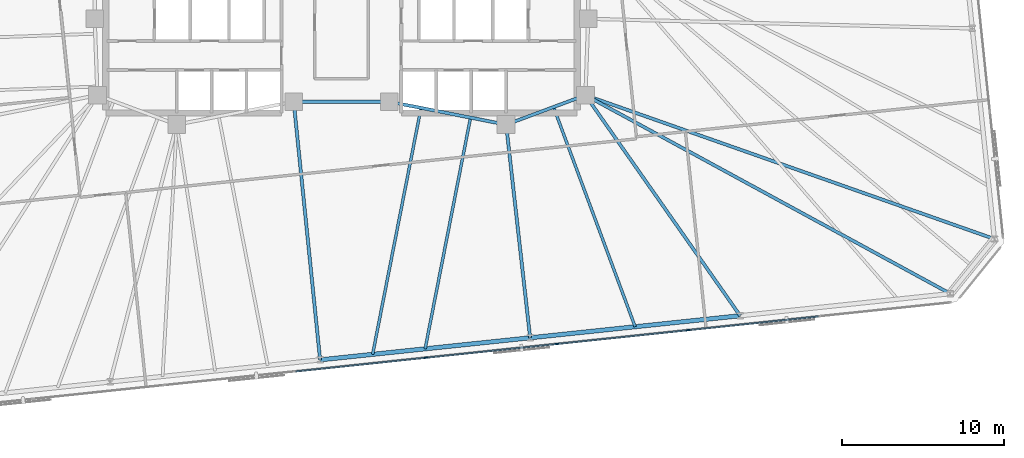
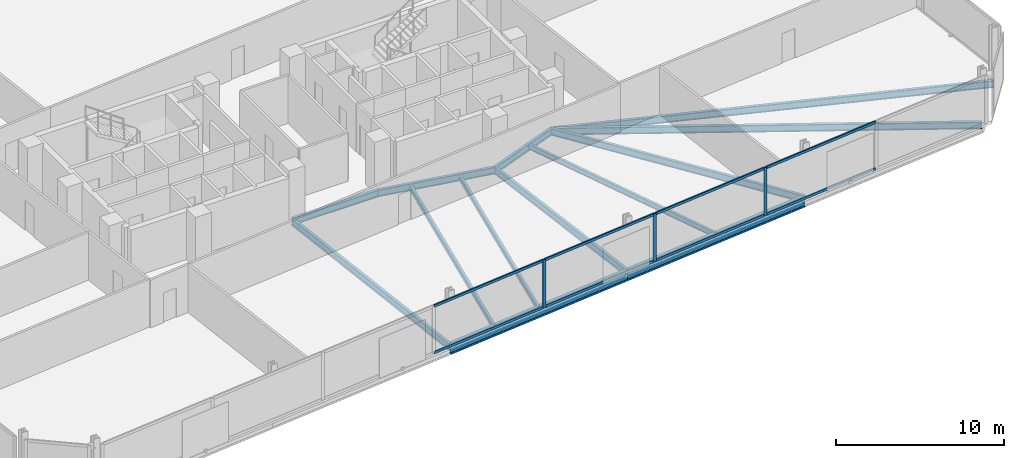
# One storey, part 7 of 18: 13 beams, 11 members, 1 element without a shape of its own.
"""IFC4 building model written with IfcOpenShell, lengths in metres."""

from ifc_helpers import new_model, si_unit, direction, frame, origin, origin_2d, place, context, subcontext, project, spatial, rectangle, i_section, extrude, material, material_profile, profile_set, type_object, element, aggregate, save


model = new_model("IFC4")

# Units and contexts
model_context = context("Model", 3, precision=1e-05, world=origin(), true_north=direction((0.0, 1.0)))
body_context = subcontext(model_context, "Body", "Model", "MODEL_VIEW")
ifc_project = project(units=[si_unit("LENGTHUNIT", "METRE"), si_unit("AREAUNIT", "SQUARE_METRE"), si_unit("VOLUMEUNIT", "CUBIC_METRE"), si_unit("PLANEANGLEUNIT", "RADIAN"), si_unit("MASSUNIT", "GRAM", prefix="KILO")], contexts=[model_context])

# Site, building, storey
site_placement = place(None, origin())
site = spatial("IfcSite", under=ifc_project, at=site_placement, CompositionType="ELEMENT")
building_placement = place(site_placement, origin())
building = spatial("IfcBuilding", under=site, at=building_placement, Name="Menara Jurai Vektor", CompositionType="ELEMENT")
storey_placement = place(building_placement, frame((0.0, 0.0, 91.10009765625)))
storey = spatial("IfcBuildingStorey", under=building, at=storey_placement, Name="L22", CompositionType="ELEMENT", Elevation=91.10009765625)

# Curtain wall, members
ifc_material_1 = material(Name="Anodised Pale Aluminium & Low-E Double Glazing", Category="aluminium")
curtain_wall_type = type_object("IfcCurtainWallType", Name="CW-BLK2", PredefinedType="NOTDEFINED", material=ifc_material_1)
curtain_wall_placement = place(storey_placement, origin())
curtain_wall = element("IfcCurtainWall", 1, at=curtain_wall_placement, inside=storey, type_object=curtain_wall_type, Name="Unitised Curtain Wall L22 F01", PredefinedType="NOTDEFINED")
ifc_material_2 = material(Name="Anodised Pale Aluminium Mullion", Category="aluminium")
ifc_material_profile_1 = material_profile(ifc_material_2, rectangle(XDim=0.090087890625, YDim=0.219970703125, at=origin_2d()), Name="ALU MUL 90x220")
ifc_profile_set_1 = profile_set([ifc_material_profile_1], Name="Anodised Pale Aluminium Mullion")
member_type_1 = type_object("IfcMemberType", Name="CW-BLK2-MUL", PredefinedType="MULLION", material=ifc_profile_set_1)
member_1_placement = place(storey_placement, frame((5.230224609375, -20.72265625, 0.0), z_axis=(0.0, 0.0, 1.0), x_axis=(-0.104528634935, 0.994521877325, 0.0)))
member_1 = element("IfcMember", 2, at=member_1_placement, type_object=member_type_1, Name="CW-02 mullion 5", PredefinedType="MULLION", context=body_context, shape_type="SweptSolid", body=[
    extrude(rectangle(XDim=0.090087890625, YDim=0.219970703125, at=origin_2d()), origin(), (0.0, 0.0, 1.0), 3.474853515625),
])
member_2_placement = place(storey_placement, frame((13.328125, -19.87158203125, 0.0), z_axis=(0.0, 0.0, 1.0), x_axis=(-0.104528634935, 0.994521877325, 0.0)))
member_2 = element("IfcMember", 3, at=member_2_placement, type_object=member_type_1, Name="CW-02 mullion 6", PredefinedType="MULLION", context=body_context, shape_type="SweptSolid", body=[
    extrude(rectangle(XDim=0.090087890625, YDim=0.219970703125, at=origin_2d()), origin(), (0.0, 0.0, 1.0), 3.474853515625),
])
member_3_placement = place(storey_placement, frame((21.426025390625, -19.020263671875, 0.0), z_axis=(0.0, 0.0, 1.0), x_axis=(-0.104528634935, 0.994521877325, 0.0)))
member_3 = element("IfcMember", 4, at=member_3_placement, type_object=member_type_1, Name="CW-02 mullion 7", PredefinedType="MULLION", context=body_context, shape_type="SweptSolid", body=[
    extrude(rectangle(XDim=0.090087890625, YDim=0.219970703125, at=origin_2d()), origin(), (0.0, 0.0, 1.0), 3.474853515625),
])
ifc_material_3 = material(Name="Anodised Pale Aluminium Transom", Category="aluminium")
ifc_material_profile_2 = material_profile(ifc_material_3, rectangle(XDim=0.090087890625, YDim=0.18505859375, at=origin_2d()), Name="ALU TRN 90x185")
ifc_profile_set_2 = profile_set([ifc_material_profile_2], Name="Anodised Pale Aluminium Transom")
member_type_2 = type_object("IfcMemberType", Name="CW-BLK2-TRN", PredefinedType="USERDEFINED", material=ifc_profile_set_2)
member_4_placement = place(storey_placement, frame((-2.82275390625, -21.569091796875, 0.044921875), z_axis=(0.994520726373, 0.10453958492, 0.0), x_axis=(-0.10453958492, 0.994520726373, 0.0)))
member_4 = element("IfcMember", 5, at=member_4_placement, type_object=member_type_2, Name="CW-02 transom 4.1", ObjectType="TRANSOM", PredefinedType="USERDEFINED", context=body_context, shape_type="SweptSolid", body=[
    extrude(rectangle(XDim=0.090087890625, YDim=0.18505859375, at=origin_2d()), origin(), (0.0, 0.0, 1.0), 8.052490234375),
])
member_5_placement = place(storey_placement, frame((-2.82275390625, -21.569091796875, 3.429931640625), z_axis=(0.994520726373, 0.10453958492, 0.0), x_axis=(-0.10453958492, 0.994520726373, 0.0)))
member_5 = element("IfcMember", 6, at=member_5_placement, type_object=member_type_2, Name="CW-02 transom 4.2", ObjectType="TRANSOM", PredefinedType="USERDEFINED", context=body_context, shape_type="SweptSolid", body=[
    extrude(rectangle(XDim=0.090087890625, YDim=0.18505859375, at=origin_2d()), origin(), (0.0, 0.0, 1.0), 8.052490234375),
])
member_6_placement = place(storey_placement, frame((5.275146484375, -20.718017578125, 0.044921875), z_axis=(0.994520726373, 0.10453958492, 0.0), x_axis=(-0.10453958492, 0.994520726373, 0.0)))
member_6 = element("IfcMember", 7, at=member_6_placement, type_object=member_type_2, Name="CW-02 transom 5.1", ObjectType="TRANSOM", PredefinedType="USERDEFINED", context=body_context, shape_type="SweptSolid", body=[
    extrude(rectangle(XDim=0.090087890625, YDim=0.18505859375, at=origin_2d()), origin(), (0.0, 0.0, 1.0), 8.052490234375),
])
member_7_placement = place(storey_placement, frame((5.275146484375, -20.718017578125, 3.429931640625), z_axis=(0.994520726373, 0.10453958492, 0.0), x_axis=(-0.10453958492, 0.994520726373, 0.0)))
member_7 = element("IfcMember", 8, at=member_7_placement, type_object=member_type_2, Name="CW-02 transom 5.2", ObjectType="TRANSOM", PredefinedType="USERDEFINED", context=body_context, shape_type="SweptSolid", body=[
    extrude(rectangle(XDim=0.090087890625, YDim=0.18505859375, at=origin_2d()), origin(), (0.0, 0.0, 1.0), 8.052490234375),
])
member_8_placement = place(storey_placement, frame((13.373046875, -19.86669921875, 0.044921875), z_axis=(0.99452387809, 0.104509597213, 0.0), x_axis=(-0.104509597213, 0.99452387809, 0.0)))
member_8 = element("IfcMember", 9, at=member_8_placement, type_object=member_type_2, Name="CW-02 transom 6.1", ObjectType="TRANSOM", PredefinedType="USERDEFINED", context=body_context, shape_type="SweptSolid", body=[
    extrude(rectangle(XDim=0.090087890625, YDim=0.18505859375, at=origin_2d()), origin(), (0.0, 0.0, 1.0), 8.052490234375),
])
member_9_placement = place(storey_placement, frame((13.373046875, -19.86669921875, 3.429931640625), z_axis=(0.99452387809, 0.104509597213, 0.0), x_axis=(-0.104509597213, 0.99452387809, 0.0)))
member_9 = element("IfcMember", 10, at=member_9_placement, type_object=member_type_2, Name="CW-02 transom 6.2", ObjectType="TRANSOM", PredefinedType="USERDEFINED", context=body_context, shape_type="SweptSolid", body=[
    extrude(rectangle(XDim=0.090087890625, YDim=0.18505859375, at=origin_2d()), origin(), (0.0, 0.0, 1.0), 8.052490234375),
])
member_10_placement = place(storey_placement, frame((21.470947265625, -19.015625, 0.044921875), z_axis=(0.994520726373, 0.10453958492, 0.0), x_axis=(-0.10453958492, 0.994520726373, 0.0)))
member_10 = element("IfcMember", 11, at=member_10_placement, type_object=member_type_2, Name="CW-02 transom 7.1", ObjectType="TRANSOM", PredefinedType="USERDEFINED", context=body_context, shape_type="SweptSolid", body=[
    extrude(rectangle(XDim=0.090087890625, YDim=0.18505859375, at=origin_2d()), origin(), (0.0, 0.0, 1.0), 8.052490234375),
])
member_11_placement = place(storey_placement, frame((21.470947265625, -19.015625, 3.429931640625), z_axis=(0.994520726373, 0.10453958492, 0.0), x_axis=(-0.10453958492, 0.994520726373, 0.0)))
member_11 = element("IfcMember", 12, at=member_11_placement, type_object=member_type_2, Name="CW-02 transom 7.2", ObjectType="TRANSOM", PredefinedType="USERDEFINED", context=body_context, shape_type="SweptSolid", body=[
    extrude(rectangle(XDim=0.090087890625, YDim=0.18505859375, at=origin_2d()), origin(), (0.0, 0.0, 1.0), 8.052490234375),
])
aggregate(curtain_wall, [member_1, member_2, member_3, member_4, member_5, member_6, member_7, member_8, member_9, member_10, member_11])

# Beams
ifc_material_4 = material(Name="Steel S355", Category="steel")
ifc_material_profile_3 = material_profile(ifc_material_4, i_section(OverallWidth=0.199951171875, OverallDepth=0.5, WebThickness=0.011962890625, FlangeThickness=0.02001953125, at=origin_2d()), Name="PG 500x200x96")
ifc_profile_set_3 = profile_set([ifc_material_profile_3], Name="Steel S355")
beam_type_1 = type_object("IfcBeamType", Name="STR-BM-500", PredefinedType="BEAM", material=ifc_profile_set_3)
beam_1_placement = place(storey_placement, frame((10.179931640625, -6.320068359375, -0.47509765625), z_axis=(0.937424400887, 0.348188874925, 0.0), x_axis=(-0.348188874925, 0.937424400887, 0.0)))
element("IfcBeam", 13, at=beam_1_placement, inside=storey, type_object=beam_type_1, Name="Core Ring Header Girder L22-CHE-S1", PredefinedType="BEAM", context=body_context, shape_type="SweptSolid", body=[
    extrude(i_section(OverallWidth=0.199951171875, OverallDepth=0.5, WebThickness=0.011962890625, FlangeThickness=0.02001953125, at=origin_2d()), origin(), (0.0, 0.0, 1.0), 5.227294921875),
])
beam_2_placement = place(storey_placement, frame((2.949951171875, -4.89990234375, -0.47509765625), z_axis=(0.981249044334, -0.192744164614, 0.0), x_axis=(0.192744164614, 0.981249044334, 0.0)))
element("IfcBeam", 14, at=beam_2_placement, inside=storey, type_object=beam_type_1, Name="Core Ring Header Girder L22-CHE-S2", PredefinedType="BEAM", context=body_context, shape_type="SweptSolid", body=[
    extrude(i_section(OverallWidth=0.199951171875, OverallDepth=0.5, WebThickness=0.011962890625, FlangeThickness=0.02001953125, at=origin_2d()), origin(), (0.0, 0.0, 1.0), 7.3681640625),
])
beam_3_placement = place(storey_placement, frame((-2.949951171875, -4.89990234375, -0.47509765625), z_axis=(1.0, 0.0, 0.0), x_axis=(0.0, 1.0, 0.0)))
element("IfcBeam", 15, at=beam_3_placement, inside=storey, type_object=beam_type_1, Name="Core Ring Header Girder L22-CC-1", PredefinedType="BEAM", context=body_context, shape_type="SweptSolid", body=[
    extrude(i_section(OverallWidth=0.199951171875, OverallDepth=0.5, WebThickness=0.011962890625, FlangeThickness=0.02001953125, at=origin_2d()), origin(), (0.0, 0.0, 1.0), 5.89990234375),
])
beam_4_placement = place(storey_placement, frame((-1.31689453125, -20.85791015625, -0.47509765625), z_axis=(-0.101802947506, 0.994804583765, 0.0), x_axis=(-0.994804583765, -0.101802947506, 0.0)))
element("IfcBeam", 16, at=beam_4_placement, inside=storey, type_object=beam_type_1, Name="Radial Floor Girder L22-S3", PredefinedType="BEAM", context=body_context, shape_type="SweptSolid", body=[
    extrude(i_section(OverallWidth=0.199951171875, OverallDepth=0.5, WebThickness=0.011962890625, FlangeThickness=0.02001953125, at=origin_2d()), origin(), (0.0, 0.0, 1.0), 16.041259765625),
])
beam_5_placement = place(storey_placement, frame((11.66259765625, -19.493408203125, -0.47509765625), z_axis=(-0.111844331087, 0.99372573963, 0.0), x_axis=(-0.99372573963, -0.111844331087, 0.0)))
element("IfcBeam", 17, at=beam_5_placement, inside=storey, type_object=beam_type_1, Name="Radial Floor Girder L22-S4", PredefinedType="BEAM", context=body_context, shape_type="SweptSolid", body=[
    extrude(i_section(OverallWidth=0.199951171875, OverallDepth=0.5, WebThickness=0.011962890625, FlangeThickness=0.02001953125, at=origin_2d()), origin(), (0.0, 0.0, 1.0), 13.256591796875),
])
beam_6_placement = place(storey_placement, frame((24.64208984375, -18.12939453125, -0.47509765625), z_axis=(-0.574326112611, 0.818626603754, 0.0), x_axis=(-0.818626603754, -0.574326112611, 0.0)))
element("IfcBeam", 18, at=beam_6_placement, inside=storey, type_object=beam_type_1, Name="Radial Floor Girder L22-S5", PredefinedType="BEAM", context=body_context, shape_type="SweptSolid", body=[
    extrude(i_section(OverallWidth=0.199951171875, OverallDepth=0.5, WebThickness=0.011962890625, FlangeThickness=0.02001953125, at=origin_2d()), origin(), (0.0, 0.0, 1.0), 16.649169921875),
])
beam_7_placement = place(storey_placement, frame((37.621826171875, -16.76513671875, -0.47509765625), z_axis=(-0.878392468416, 0.477940029115, 0.0), x_axis=(-0.477940029115, -0.878392468416, 0.0)))
element("IfcBeam", 19, at=beam_7_placement, inside=storey, type_object=beam_type_1, Name="Radial Floor Girder L22-S6", PredefinedType="BEAM", context=body_context, shape_type="SweptSolid", body=[
    extrude(i_section(OverallWidth=0.199951171875, OverallDepth=0.5, WebThickness=0.011962890625, FlangeThickness=0.02001953125, at=origin_2d()), origin(), (0.0, 0.0, 1.0), 25.66259765625),
])
beam_8_placement = place(storey_placement, frame((40.356201171875, -13.388671875, -0.47509765625), z_axis=(-0.943368219745, 0.331747497315, 0.0), x_axis=(-0.331747497315, -0.943368219745, 0.0)))
element("IfcBeam", 20, at=beam_8_placement, inside=storey, type_object=beam_type_1, Name="Radial Floor Girder L22-E1", PredefinedType="BEAM", context=body_context, shape_type="SweptSolid", body=[
    extrude(i_section(OverallWidth=0.199951171875, OverallDepth=0.5, WebThickness=0.011962890625, FlangeThickness=0.02001953125, at=origin_2d()), origin(), (0.0, 0.0, 1.0), 26.79345703125),
])
ifc_material_profile_4 = material_profile(ifc_material_4, i_section(OverallWidth=0.175048828125, OverallDepth=0.3798828125, WebThickness=0.010009765625, FlangeThickness=0.014892578125, at=origin_2d()), Name="PG 380x175x58")
ifc_profile_set_4 = profile_set([ifc_material_profile_4], Name="Steel S355")
beam_type_2 = type_object("IfcBeamType", Name="STR-JS-380", PredefinedType="JOIST", material=ifc_profile_set_4)
beam_9_placement = place(storey_placement, frame((1.927978515625, -20.5166015625, -0.4150390625), z_axis=(0.192720963177, 0.981253601447, 0.0), x_axis=(-0.981253601447, 0.192720963177, 0.0)))
element("IfcBeam", 21, at=beam_9_placement, inside=storey, type_object=beam_type_2, Name="Radial Secondary Floor Joist L22-JS06", PredefinedType="JOIST", context=body_context, shape_type="SweptSolid", body=[
    extrude(i_section(OverallWidth=0.175048828125, OverallDepth=0.3798828125, WebThickness=0.010009765625, FlangeThickness=0.014892578125, at=origin_2d()), origin(), (0.0, 0.0, 1.0), 15.52099609375),
])
beam_10_placement = place(storey_placement, frame((5.1728515625, -20.175537109375, -0.4150390625), z_axis=(0.192719646422, 0.98125386006, 0.0), x_axis=(-0.98125386006, 0.192719646422, 0.0)))
element("IfcBeam", 22, at=beam_10_placement, inside=storey, type_object=beam_type_2, Name="Radial Secondary Floor Joist L22-JS07", PredefinedType="JOIST", context=body_context, shape_type="SweptSolid", body=[
    extrude(i_section(OverallWidth=0.175048828125, OverallDepth=0.3798828125, WebThickness=0.010009765625, FlangeThickness=0.014892578125, at=origin_2d()), origin(), (0.0, 0.0, 1.0), 14.560791015625),
])
beam_11_placement = place(storey_placement, frame((18.15234375, -18.811279296875, -0.4150390625), z_axis=(-0.348188645432, 0.937424486128, 0.0), x_axis=(-0.937424486128, -0.348188645432, 0.0)))
element("IfcBeam", 23, at=beam_11_placement, inside=storey, type_object=beam_type_2, Name="Radial Secondary Floor Joist L22-JS08", PredefinedType="JOIST", context=body_context, shape_type="SweptSolid", body=[
    extrude(i_section(OverallWidth=0.175048828125, OverallDepth=0.3798828125, WebThickness=0.010009765625, FlangeThickness=0.014892578125, at=origin_2d()), origin(), (0.0, 0.0, 1.0), 14.485595703125),
])
ifc_material_5 = material(Name="Steel S460", Category="steel")
ifc_material_profile_5 = material_profile(ifc_material_5, i_section(OverallWidth=0.26806640625, OverallDepth=0.77001953125, WebThickness=0.01611328125, FlangeThickness=0.02490234375, FilletRadius=0.01708984375, at=origin_2d()), Name="UKB 762x267x197")
ifc_profile_set_5 = profile_set([ifc_material_profile_5], Name="Steel S460")
beam_type_3 = type_object("IfcBeamType", Name="STR-SP-762", PredefinedType="SPANDREL", material=ifc_profile_set_5)
for number, where, z_axis, x_axis, name in (
    (24, (-1.31689453125, -20.85791015625, -0.610107421875), (0.994519486762, 0.104551377088, 0.0), (-0.104551377088, 0.994519486762, 0.0), "Exoskeleton Spandrel Beam L22-03"),
    (25, (11.66259765625, -19.493408203125, -0.610107421875), (0.99452337626, 0.104514372567, 0.0), (-0.104514372567, 0.99452337626, 0.0), "Exoskeleton Spandrel Beam L22-04"),
):
    element("IfcBeam", number, at=place(storey_placement, frame(where, z_axis=z_axis, x_axis=x_axis)), inside=storey, type_object=beam_type_3, Name=name, PredefinedType="SPANDREL", context=body_context, shape_type="SweptSolid", body=[
        extrude(i_section(OverallWidth=0.26806640625, OverallDepth=0.77001953125, WebThickness=0.01611328125, FlangeThickness=0.02490234375, FilletRadius=0.01708984375, at=origin_2d()), origin(), (0.0, 0.0, 1.0), 13.051025390625),
    ])

save(model, "model.ifc")
